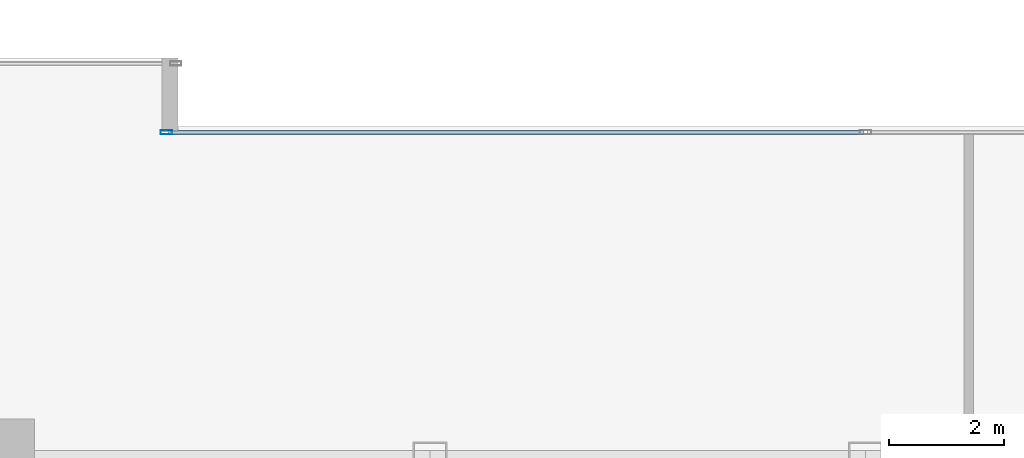
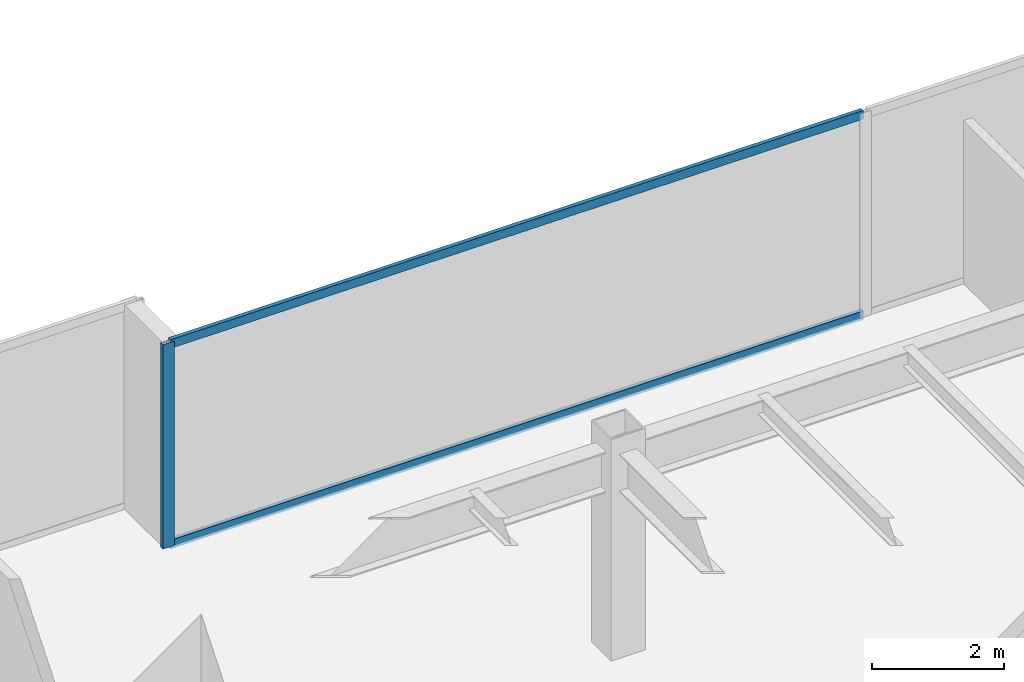
# One storey, part 14 of 36: 3 members, 1 element without a shape of its own.
"""IFC4 building model written with IfcOpenShell, lengths in metres."""

from ifc_helpers import new_model, si_unit, direction, frame, origin, origin_2d, place, context, subcontext, project, spatial, hollow_rectangle, extrude, source, transform, mapped, material, layer, layer_set, material_profile, profile_set, type_object, type_shapes, element, aggregate, save


model = new_model("IFC4")

# Units and contexts
model_context = context("Model", 3, precision=1e-05, world=origin(), true_north=direction((0.0, 1.0)))
body_context = subcontext(model_context, "Body", "Model", "MODEL_VIEW")
ifc_project = project(units=[si_unit("LENGTHUNIT", "METRE"), si_unit("AREAUNIT", "SQUARE_METRE"), si_unit("VOLUMEUNIT", "CUBIC_METRE"), si_unit("PLANEANGLEUNIT", "RADIAN"), si_unit("MASSUNIT", "GRAM", prefix="KILO")], contexts=[model_context])

# Site, building, storey
site_placement = place(None, origin())
site = spatial("IfcSite", under=ifc_project, at=site_placement, CompositionType="ELEMENT")
building_placement = place(site_placement, origin())
building = spatial("IfcBuilding", under=site, at=building_placement, Name="Haelvirn Gate Laboratories", CompositionType="ELEMENT")
storey_placement = place(building_placement, frame((0.0, 0.0, 29.300048828125)))
storey = spatial("IfcBuildingStorey", under=building, at=storey_placement, Name="L07", CompositionType="ELEMENT", Elevation=29.300048828125)

# Curtain wall, members
ifc_material_1 = material(Name="Anodised bronze unitised aluminium & triple low-E glass", Category="aluminium")
ifc_layer = layer(ifc_material_1, 0.18408203125, Name="CW-SYS-2")
ifc_layer_set = layer_set([ifc_layer], Name="Anodised bronze unitised aluminium & triple low-E glass")
curtain_wall_type = type_object("IfcCurtainWallType", Name="CW-SYS-2", PredefinedType="NOTDEFINED", material=ifc_layer_set)
curtain_wall_placement = place(storey_placement, origin())
curtain_wall = element("IfcCurtainWall", 1, at=curtain_wall_placement, inside=storey, type_object=curtain_wall_type, Name="L07 Unitised Curtain Wall CW-L07-P0-E12-1", PredefinedType="NOTDEFINED")
ifc_material_2 = material(Name="Extruded aluminium 6063-T6 (anodised bronze)", Category="aluminium")
ifc_material_profile_1 = material_profile(ifc_material_2, hollow_rectangle(XDim=0.074951171875, YDim=0.199951171875, WallThickness=0.0048828125, at=origin_2d()), Name="CWM-200x75x5")
ifc_profile_set_1 = profile_set([ifc_material_profile_1], Name="Extruded aluminium 6063-T6 (anodised bronze)")
member_type_1 = type_object("IfcMemberType", Name="CWM-T200", PredefinedType="MULLION", material=ifc_profile_set_1)
shared_shape_1 = source(origin(), body_context, "Body", "SweptSolid", [
    extrude(hollow_rectangle(XDim=0.074951171875, YDim=0.199951171875, WallThickness=0.0048828125, at=origin_2d()), origin(), (0.0, 0.0, 1.0), 3.780029296875),
])
type_shapes(member_type_1, [shared_shape_1])
member_1_placement = place(storey_placement, frame((25.197509765625, 47.300048828125, 0.0), z_axis=(0.0, 0.0, 1.0), x_axis=(0.0, 1.0, 0.0)))
member_1 = element("IfcMember", 2, at=member_1_placement, type_object=member_type_1, Name="CW2 mullion 1", PredefinedType="MULLION", context=body_context, shape_type="MappedRepresentation", body=[
    mapped(shared_shape_1, transform((0.0, 0.0, 0.0), scale=1.0)),
])
ifc_material_profile_2 = material_profile(ifc_material_2, hollow_rectangle(XDim=0.070068359375, YDim=0.159912109375, WallThickness=0.0048828125, at=origin_2d()), Name="CWT-160x70x5")
ifc_profile_set_2 = profile_set([ifc_material_profile_2], Name="Extruded aluminium 6063-T6 (anodised bronze)")
member_type_2 = type_object("IfcMemberType", Name="CWT-T160", PredefinedType="USERDEFINED", material=ifc_profile_set_2)
shared_shape_2 = source(origin(), body_context, "Body", "SweptSolid", [
    extrude(hollow_rectangle(XDim=0.070068359375, YDim=0.159912109375, WallThickness=0.0048828125, at=origin_2d()), origin(), (0.0, 0.0, 1.0), 12.12744140625),
])
type_shapes(member_type_2, [shared_shape_2])
member_2_placement = place(storey_placement, frame((25.235107421875, 47.300048828125, 0.034912109375), z_axis=(1.0, 0.0, 0.0), x_axis=(0.0, 1.0, 0.0)))
member_2 = element("IfcMember", 3, at=member_2_placement, type_object=member_type_2, Name="CW2 transom 1.1", ObjectType="TRANSOM", PredefinedType="USERDEFINED", context=body_context, shape_type="MappedRepresentation", body=[
    mapped(shared_shape_2, transform((0.0, 0.0, 0.0), scale=1.0)),
])
member_3_placement = place(storey_placement, frame((25.235107421875, 47.300048828125, 3.744873046875), z_axis=(1.0, 0.0, 0.0), x_axis=(0.0, 1.0, 0.0)))
member_3 = element("IfcMember", 4, at=member_3_placement, type_object=member_type_2, Name="CW2 transom 1.2", ObjectType="TRANSOM", PredefinedType="USERDEFINED", context=body_context, shape_type="MappedRepresentation", body=[
    mapped(shared_shape_2, transform((0.0, 0.0, 0.0), scale=1.0)),
])
aggregate(curtain_wall, [member_1, member_2, member_3])

save(model, "model.ifc")
